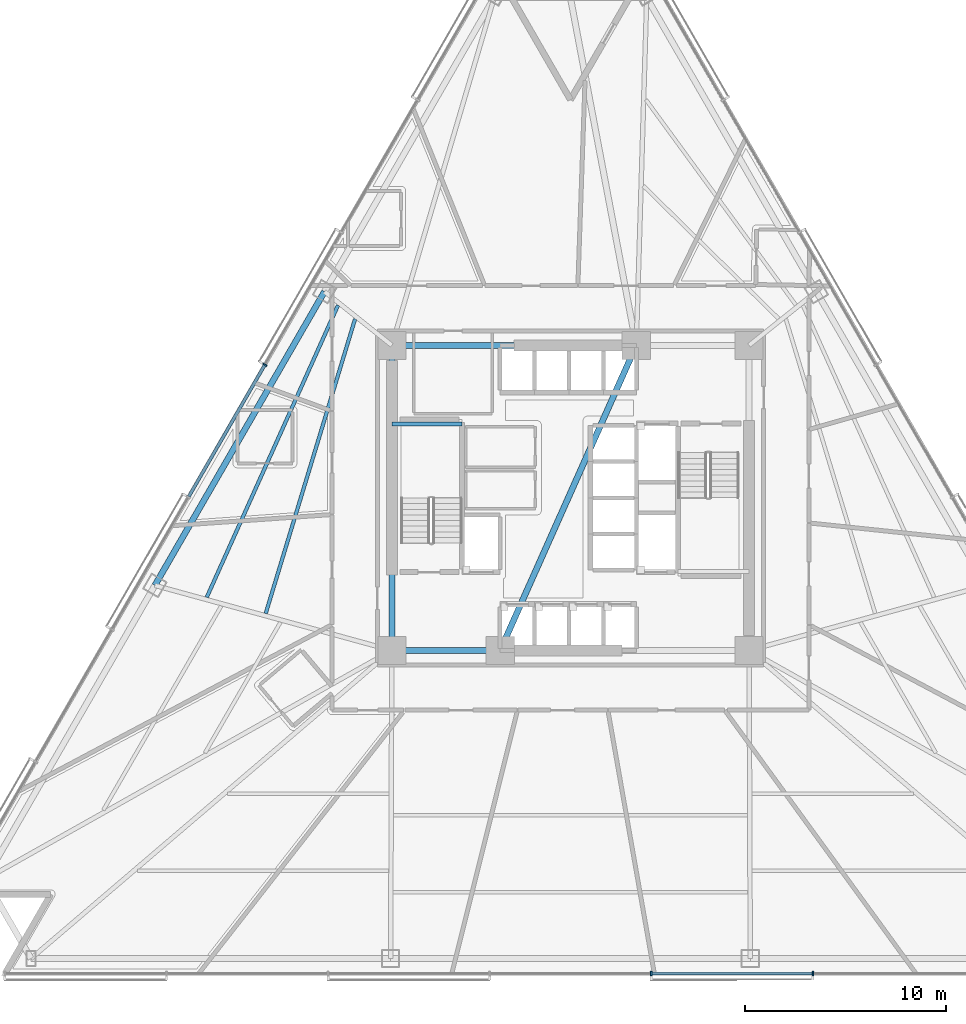
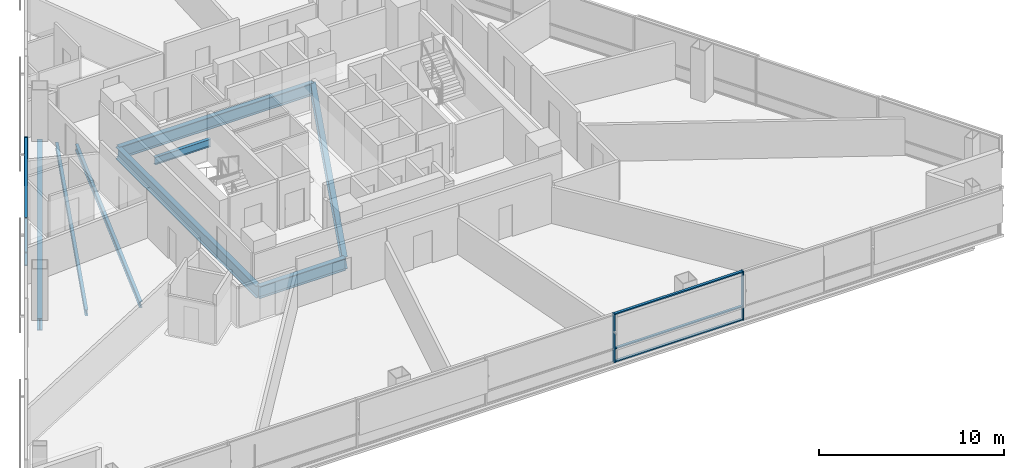
# One storey, part 3 of 16: 9 members, 8 beams, 2 elements without a shape of their own.
"""IFC4 building model written with IfcOpenShell, lengths in metres."""

from ifc_helpers import new_model, si_unit, direction, frame, origin, origin_2d, place, context, subcontext, project, spatial, rectangle, i_section, extrude, material, layer, layer_set, material_profile, profile_set, type_object, element, aggregate, save


model = new_model("IFC4")

# Units and contexts
model_context = context("Model", 3, precision=1e-05, world=origin(), true_north=direction((0.0, 1.0)))
body_context = subcontext(model_context, "Body", "Model", "MODEL_VIEW")
ifc_project = project(units=[si_unit("LENGTHUNIT", "METRE"), si_unit("AREAUNIT", "SQUARE_METRE"), si_unit("VOLUMEUNIT", "CUBIC_METRE"), si_unit("PLANEANGLEUNIT", "RADIAN"), si_unit("MASSUNIT", "GRAM", prefix="KILO")], contexts=[model_context])

# Site, building, storey
site_placement = place(None, origin())
site = spatial("IfcSite", under=ifc_project, at=site_placement, CompositionType="ELEMENT")
building_placement = place(site_placement, origin())
building = spatial("IfcBuilding", under=site, at=building_placement, Name="Tharavind Bronze Gate", CompositionType="ELEMENT")
storey_placement = place(building_placement, frame((0.0, 0.0, 45.449951171875)))
storey = spatial("IfcBuildingStorey", under=building, at=storey_placement, Name="L10", CompositionType="ELEMENT", Elevation=45.449951171875)

# Curtain wall, member
ifc_material_1 = material(Name="Anodised Bronze Aluminium", Category="aluminium")
ifc_layer = layer(ifc_material_1, 0.219970703125)
ifc_layer_set = layer_set([ifc_layer], Name="Anodised Bronze Aluminium")
curtain_wall_type = type_object("IfcCurtainWallType", Name="UNITISED CURTAIN WALL HOTEL", PredefinedType="USERDEFINED", material=ifc_layer_set)
curtain_wall_1_placement = place(storey_placement, origin())
curtain_wall_1 = element("IfcCurtainWall", 1, at=curtain_wall_1_placement, inside=storey, type_object=curtain_wall_type, Name="L10 unitised curtain wall hotel CW-L10-S1", ObjectType="UNITISED CURTAIN WALL", PredefinedType="USERDEFINED")
member_type_1 = type_object("IfcMemberType", Name="CURTAIN WALL MULLION 80X220", PredefinedType="MULLION", material=ifc_material_1)
member_1_placement = place(storey_placement, frame((-15.223876953125, 6.63134765625, 0.0), z_axis=(0.0, 0.0, 1.0), x_axis=(-0.500001511499, -0.866024531118, 0.0)))
member_1 = element("IfcMember", 2, at=member_1_placement, type_object=member_type_1, Name="CW-L10-S1 mullion 4", PredefinedType="MULLION", context=body_context, shape_type="SweptSolid", body=[
    extrude(rectangle(XDim=0.080078125, YDim=0.219970703125, at=origin_2d()), origin(), (0.0, 0.0, 1.0), 3.22509765625),
])

# Curtain wall, members
curtain_wall_2_placement = place(storey_placement, origin())
curtain_wall_2 = element("IfcCurtainWall", 3, at=curtain_wall_2_placement, inside=storey, type_object=curtain_wall_type, Name="L10 unitised curtain wall hotel CW-L10-S2", ObjectType="UNITISED CURTAIN WALL", PredefinedType="USERDEFINED")
member_2_placement = place(storey_placement, frame((4.025146484375, -23.699951171875, 0.0), z_axis=(0.0, 0.0, 1.0), x_axis=(1.0, 0.0, 0.0)))
member_2 = element("IfcMember", 4, at=member_2_placement, type_object=member_type_1, Name="CW-L10-S2 mullion 5", PredefinedType="MULLION", context=body_context, shape_type="SweptSolid", body=[
    extrude(rectangle(XDim=0.080078125, YDim=0.219970703125, at=origin_2d()), origin(), (0.0, 0.0, 1.0), 3.22509765625),
])
member_3_placement = place(storey_placement, frame((12.0751953125, -23.699951171875, 0.0), z_axis=(0.0, 0.0, 1.0), x_axis=(1.0, 0.0, 0.0)))
member_3 = element("IfcMember", 5, at=member_3_placement, type_object=member_type_1, Name="CW-L10-S2 mullion 6", PredefinedType="MULLION", context=body_context, shape_type="SweptSolid", body=[
    extrude(rectangle(XDim=0.080078125, YDim=0.219970703125, at=origin_2d()), origin(), (0.0, 0.0, 1.0), 3.22509765625),
])

# Member
member_type_2 = type_object("IfcMemberType", Name="CURTAIN WALL TRANSOM 80X160", PredefinedType="USERDEFINED", material=ifc_material_1)
member_4_placement = place(storey_placement, frame((-17.1279296875, 3.33349609375, 0.0), z_axis=(0.0, 0.0, 1.0), x_axis=(-0.500001511499, -0.866024531118, 0.0)))
member_4 = element("IfcMember", 6, at=member_4_placement, type_object=member_type_2, Name="CW-L10-S1 transom TB4", ObjectType="TRANSOM", PredefinedType="USERDEFINED", context=body_context, shape_type="SweptSolid", body=[
    extrude(rectangle(XDim=7.5478515625, YDim=0.159912109375, at=origin_2d()), origin(), (0.0, 0.0, 1.0), 0.080078125),
])

member_5_placement = place(storey_placement, frame((-17.1279296875, 3.33349609375, 0.860107421875), z_axis=(0.0, 0.0, 1.0), x_axis=(-0.500001511499, -0.866024531118, 0.0)))
member_5 = element("IfcMember", 7, at=member_5_placement, type_object=member_type_2, Name="CW-L10-S1 transom TS4", ObjectType="TRANSOM", PredefinedType="USERDEFINED", context=body_context, shape_type="SweptSolid", body=[
    extrude(rectangle(XDim=7.5478515625, YDim=0.159912109375, at=origin_2d()), origin(), (0.0, 0.0, 1.0), 0.080078125),
])

member_6_placement = place(storey_placement, frame((-17.1279296875, 3.33349609375, 3.14501953125), z_axis=(0.0, 0.0, 1.0), x_axis=(-0.500001511499, -0.866024531118, 0.0)))
member_6 = element("IfcMember", 8, at=member_6_placement, type_object=member_type_2, Name="CW-L10-S1 transom TT4", ObjectType="TRANSOM", PredefinedType="USERDEFINED", context=body_context, shape_type="SweptSolid", body=[
    extrude(rectangle(XDim=7.5478515625, YDim=0.159912109375, at=origin_2d()), origin(), (0.0, 0.0, 1.0), 0.080078125),
])

aggregate(curtain_wall_1, [member_1, member_4, member_5, member_6])

member_7_placement = place(storey_placement, frame((8.05029296875, -23.699951171875, 0.0), z_axis=(0.0, 0.0, 1.0), x_axis=(1.0, 0.0, 0.0)))
member_7 = element("IfcMember", 9, at=member_7_placement, type_object=member_type_2, Name="CW-L10-S2 transom TB5", ObjectType="TRANSOM", PredefinedType="USERDEFINED", context=body_context, shape_type="SweptSolid", body=[
    extrude(rectangle(XDim=7.982177734375, YDim=0.159912109375, at=origin_2d()), origin(), (0.0, 0.0, 1.0), 0.080078125),
])

member_8_placement = place(storey_placement, frame((8.05029296875, -23.699951171875, 0.860107421875), z_axis=(0.0, 0.0, 1.0), x_axis=(1.0, 0.0, 0.0)))
member_8 = element("IfcMember", 10, at=member_8_placement, type_object=member_type_2, Name="CW-L10-S2 transom TS5", ObjectType="TRANSOM", PredefinedType="USERDEFINED", context=body_context, shape_type="SweptSolid", body=[
    extrude(rectangle(XDim=7.982177734375, YDim=0.159912109375, at=origin_2d()), origin(), (0.0, 0.0, 1.0), 0.080078125),
])

member_9_placement = place(storey_placement, frame((8.05029296875, -23.699951171875, 3.14501953125), z_axis=(0.0, 0.0, 1.0), x_axis=(1.0, 0.0, 0.0)))
member_9 = element("IfcMember", 11, at=member_9_placement, type_object=member_type_2, Name="CW-L10-S2 transom TT5", ObjectType="TRANSOM", PredefinedType="USERDEFINED", context=body_context, shape_type="SweptSolid", body=[
    extrude(rectangle(XDim=7.982177734375, YDim=0.159912109375, at=origin_2d()), origin(), (0.0, 0.0, 1.0), 0.080078125),
])

aggregate(curtain_wall_2, [member_2, member_3, member_7, member_8, member_9])

# Beams
ifc_material_2 = material(Name="Steel S355", Category="steel")
ifc_material_profile_1 = material_profile(ifc_material_2, i_section(OverallWidth=0.199951171875, OverallDepth=0.5, WebThickness=0.01025390625, FlangeThickness=0.01611328125, at=origin_2d()), Name="IPE500")
ifc_profile_set_1 = profile_set([ifc_material_profile_1], Name="Steel S355")
beam_type_1 = type_object("IfcBeamType", Name="PRIMARY GIRDER IPE500", PredefinedType="USERDEFINED", material=ifc_profile_set_1)
beam_1_placement = place(storey_placement, frame((-8.89990234375, 3.679931640625, 1.25), z_axis=(1.0, 0.0, 0.0), x_axis=(0.0, 1.0, 0.0)))
element("IfcBeam", 12, at=beam_1_placement, inside=storey, type_object=beam_type_1, Name="L10 primary girder ipe500 BM-LD-ST1-L10-1", ObjectType="GIRDER", PredefinedType="USERDEFINED", context=body_context, shape_type="SweptSolid", body=[
    extrude(i_section(OverallWidth=0.199951171875, OverallDepth=0.5, WebThickness=0.01025390625, FlangeThickness=0.01611328125, at=origin_2d()), origin(), (0.0, 0.0, 1.0), 3.5),
])
ifc_material_profile_2 = material_profile(ifc_material_2, i_section(OverallWidth=0.300048828125, OverallDepth=0.800048828125, WebThickness=0.017578125, FlangeThickness=0.032958984375, at=origin_2d()), Name="HE800B")
ifc_profile_set_2 = profile_set([ifc_material_profile_2], Name="Steel S355")
beam_type_2 = type_object("IfcBeamType", Name="RING GIRDER HE800B", PredefinedType="USERDEFINED", material=ifc_profile_set_2)
beam_2_placement = place(storey_placement, frame((-8.89990234375, -7.60009765625, -0.574951171875), z_axis=(1.0, 0.0, 0.0), x_axis=(0.0, 1.0, 0.0)))
element("IfcBeam", 13, at=beam_2_placement, inside=storey, type_object=beam_type_2, Name="L10 ring girder he800b BM-L10-CR1", ObjectType="GIRDER", PredefinedType="USERDEFINED", context=body_context, shape_type="SweptSolid", body=[
    extrude(i_section(OverallWidth=0.300048828125, OverallDepth=0.800048828125, WebThickness=0.017578125, FlangeThickness=0.032958984375, at=origin_2d()), origin(), (0.0, 0.0, 1.0), 5.39990234375),
])
beam_3_placement = place(storey_placement, frame((3.280029296875, 7.60009765625, -0.574951171875), z_axis=(-1.0, 0.0, 0.0), x_axis=(0.0, -1.0, 0.0)))
element("IfcBeam", 14, at=beam_3_placement, inside=storey, type_object=beam_type_2, Name="L10 ring girder he800b BM-L10-CR5", ObjectType="GIRDER", PredefinedType="USERDEFINED", context=body_context, shape_type="SweptSolid", body=[
    extrude(i_section(OverallWidth=0.300048828125, OverallDepth=0.800048828125, WebThickness=0.017578125, FlangeThickness=0.032958984375, at=origin_2d()), origin(), (0.0, 0.0, 1.0), 12.179931640625),
])
beam_4_placement = place(storey_placement, frame((-8.89990234375, 7.60009765625, -0.574951171875), z_axis=(0.0, -1.0, 0.0), x_axis=(1.0, 0.0, 0.0)))
element("IfcBeam", 15, at=beam_4_placement, inside=storey, type_object=beam_type_2, Name="L10 ring girder he800b BM-L10-CR6", ObjectType="GIRDER", PredefinedType="USERDEFINED", context=body_context, shape_type="SweptSolid", body=[
    extrude(i_section(OverallWidth=0.300048828125, OverallDepth=0.800048828125, WebThickness=0.017578125, FlangeThickness=0.032958984375, at=origin_2d()), origin(), (0.0, 0.0, 1.0), 15.2001953125),
])
beam_5_placement = place(storey_placement, frame((-3.5, -7.60009765625, -0.574951171875), z_axis=(0.407361644566, 0.913266932795, 0.0), x_axis=(-0.913266932795, 0.407361644566, 0.0)))
element("IfcBeam", 16, at=beam_5_placement, inside=storey, type_object=beam_type_2, Name="L10 ring girder he800b BM-L10-CR7", ObjectType="GIRDER", PredefinedType="USERDEFINED", context=body_context, shape_type="SweptSolid", body=[
    extrude(i_section(OverallWidth=0.300048828125, OverallDepth=0.800048828125, WebThickness=0.017578125, FlangeThickness=0.032958984375, at=origin_2d()), origin(), (0.0, 0.0, 1.0), 16.643798828125),
])
beam_6_placement = place(storey_placement, frame((-12.252197265625, 10.278564453125, -0.574951171875), z_axis=(-0.50000832373, -0.866020598023, 0.0), x_axis=(0.866020598023, -0.50000832373, 0.0)))
element("IfcBeam", 17, at=beam_6_placement, inside=storey, type_object=beam_type_2, Name="L10 ring girder he800b BM-L10-PRG02", ObjectType="GIRDER", PredefinedType="USERDEFINED", context=body_context, shape_type="SweptSolid", body=[
    extrude(i_section(OverallWidth=0.300048828125, OverallDepth=0.800048828125, WebThickness=0.017578125, FlangeThickness=0.032958984375, at=origin_2d()), origin(), (0.0, 0.0, 1.0), 16.904541015625),
])
ifc_material_profile_3 = material_profile(ifc_material_2, i_section(OverallWidth=0.179931640625, OverallDepth=0.39990234375, WebThickness=0.008544921875, FlangeThickness=0.013427734375, at=origin_2d()), Name="IPE400")
ifc_profile_set_3 = profile_set([ifc_material_profile_3], Name="Steel S355")
beam_type_3 = type_object("IfcBeamType", Name="SECONDARY FLOOR JOIST IPE400", PredefinedType="JOIST", material=ifc_profile_set_3)
beam_7_placement = place(storey_placement, frame((-10.72900390625, 8.915771484375, -0.375), z_axis=(-0.290410798392, -0.956902068227, 0.0), x_axis=(0.956902068227, -0.290410798392, 0.0)))
element("IfcBeam", 18, at=beam_7_placement, inside=storey, type_object=beam_type_3, Name="L10 secondary floor joist ipe400 BM-L10-JSTA02", PredefinedType="JOIST", context=body_context, shape_type="SweptSolid", body=[
    extrude(i_section(OverallWidth=0.179931640625, OverallDepth=0.39990234375, WebThickness=0.008544921875, FlangeThickness=0.013427734375, at=origin_2d()), origin(), (0.0, 0.0, 1.0), 15.334716796875),
])
beam_8_placement = place(storey_placement, frame((-11.579833984375, 9.595458984375, -0.375), z_axis=(-0.40998786392, -0.91209097761, 0.0), x_axis=(0.91209097761, -0.40998786392, 0.0)))
element("IfcBeam", 19, at=beam_8_placement, inside=storey, type_object=beam_type_3, Name="L10 secondary floor joist ipe400 BM-L10-JSTB02", PredefinedType="JOIST", context=body_context, shape_type="SweptSolid", body=[
    extrude(i_section(OverallWidth=0.179931640625, OverallDepth=0.39990234375, WebThickness=0.008544921875, FlangeThickness=0.013427734375, at=origin_2d()), origin(), (0.0, 0.0, 1.0), 15.949951171875),
])

save(model, "model.ifc")
